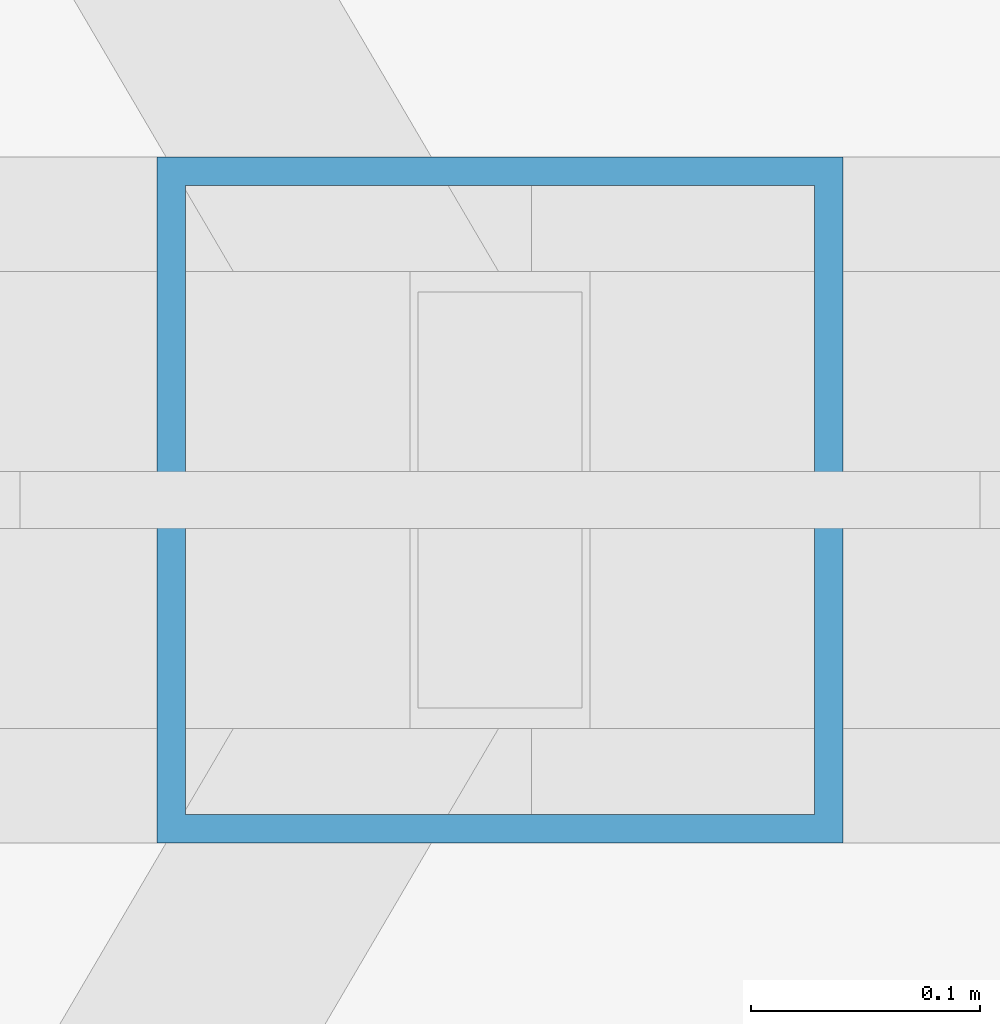
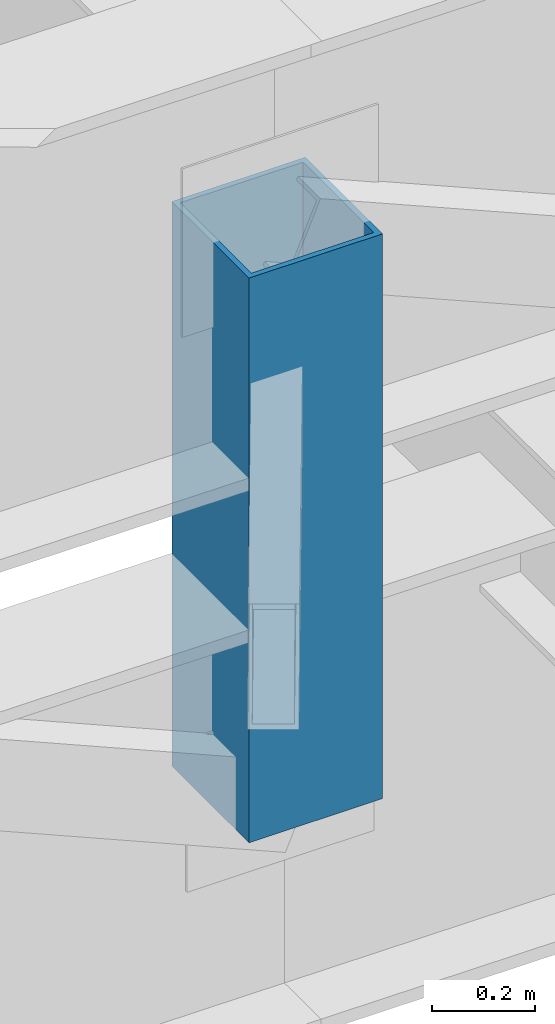
# One storey, part 71 of 184: 1 member.
"""IFC4 building model written with IfcOpenShell, lengths in metres."""

from ifc_helpers import new_model, si_unit, direction, frame, origin, origin_2d, place, context, subcontext, project, spatial, hollow_rectangle, extrude, material, material_profile, profile_set, type_object, element, save


model = new_model("IFC4")

# Units and contexts
model_context = context("Model", 3, precision=1e-05, world=origin(), true_north=direction((0.0, 1.0)))
body_context = subcontext(model_context, "Body", "Model", "MODEL_VIEW")
ifc_project = project(units=[si_unit("LENGTHUNIT", "METRE"), si_unit("AREAUNIT", "SQUARE_METRE"), si_unit("VOLUMEUNIT", "CUBIC_METRE"), si_unit("PLANEANGLEUNIT", "RADIAN"), si_unit("MASSUNIT", "GRAM", prefix="KILO")], contexts=[model_context])

# Site, building, storey
site_placement = place(None, origin())
site = spatial("IfcSite", under=ifc_project, at=site_placement, CompositionType="ELEMENT")
building_placement = place(site_placement, origin())
building = spatial("IfcBuilding", under=site, at=building_placement, Name="Kalgoora Escarpment Arena", CompositionType="ELEMENT")
storey_placement = place(building_placement, frame((0.0, 0.0, 27.60009765625)))
storey = spatial("IfcBuildingStorey", under=building, at=storey_placement, Name="Roof Level", CompositionType="ELEMENT", Elevation=27.60009765625)

# Member
ifc_material = material(Name="Structural steel C450 (450 MPa)", Category="steel")
ifc_material_profile = material_profile(ifc_material, hollow_rectangle(XDim=0.300048828125, YDim=0.300048828125, WallThickness=0.012451171875, at=origin_2d()))
ifc_profile_set = profile_set([ifc_material_profile], Name="Structural steel C450 (450 MPa)")
member_type = type_object("IfcMemberType", Name="MEM-TRUSS-POST", PredefinedType="POST", material=ifc_profile_set)
member_placement = place(storey_placement, frame((111.8798828125, 64.0, -1.610107421875), z_axis=(0.0, 0.0, 1.0), x_axis=(-1.0, 0.0, 0.0)))
element("IfcMember", 1, at=member_placement, inside=storey, type_object=member_type, Name="Radial ROOF TRUSS spine 1 post 9", PredefinedType="POST", context=body_context, shape_type="SweptSolid", body=[
    extrude(hollow_rectangle(XDim=0.300048828125, YDim=0.300048828125, WallThickness=0.012451171875, at=origin_2d()), origin(), (0.0, 0.0, 1.0), 1.340087890625),
])

save(model, "model.ifc")
